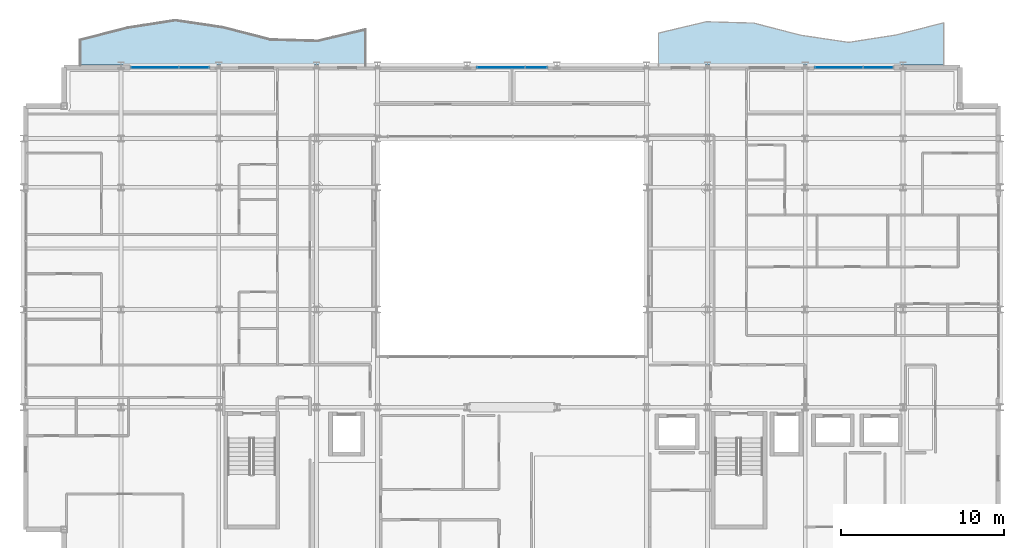
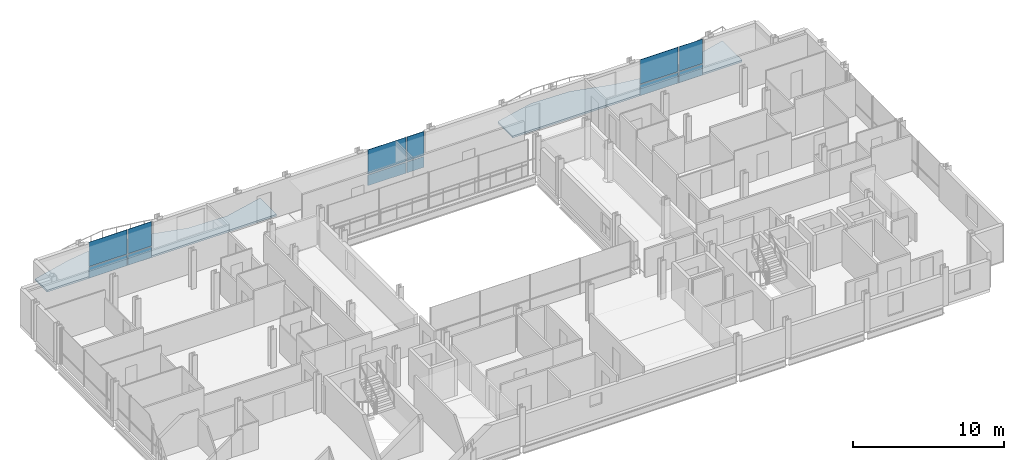
# One storey, part 31 of 41: 12 plates, 2 slabs, 3 elements without a shape of their own.
"""IFC4 building model written with IfcOpenShell, lengths in metres."""

from ifc_helpers import new_model, si_unit, direction, frame, origin, origin_2d, place, context, subcontext, project, spatial, polyline, rectangle, outline, extrude, material, layer, layer_set, type_object, element, aggregate, save


model = new_model("IFC4")

# Units and contexts
model_context = context("Model", 3, precision=1e-05, world=origin(), true_north=direction((0.0, 1.0)))
body_context = subcontext(model_context, "Body", "Model", "MODEL_VIEW")
ifc_project = project(units=[si_unit("LENGTHUNIT", "METRE"), si_unit("AREAUNIT", "SQUARE_METRE"), si_unit("VOLUMEUNIT", "CUBIC_METRE"), si_unit("PLANEANGLEUNIT", "RADIAN"), si_unit("MASSUNIT", "GRAM", prefix="KILO")], contexts=[model_context])

# Site, building, storey
site_placement = place(None, origin())
site = spatial("IfcSite", under=ifc_project, at=site_placement, CompositionType="ELEMENT")
building_placement = place(site_placement, origin())
building = spatial("IfcBuilding", under=site, at=building_placement, Name="Brevholm Reach", CompositionType="ELEMENT")
storey_placement = place(building_placement, frame((0.0, 0.0, 169.699951171875)))
storey = spatial("IfcBuildingStorey", under=building, at=storey_placement, Name="L51", CompositionType="ELEMENT", Elevation=169.699951171875)

# Curtain wall, plates
ifc_material_1 = material(Name="Dark Anodised Aluminium 6063-T6 and Solar-Control Glass", Category="aluminium")
ifc_layer_1 = layer(ifc_material_1, 0.14990234375)
ifc_layer_set_1 = layer_set([ifc_layer_1], Name="Dark Anodised Aluminium 6063-T6 and Solar-Control Glass")
curtain_wall_type = type_object("IfcCurtainWallType", Name="CW-01", PredefinedType="NOTDEFINED", material=ifc_layer_set_1)
curtain_wall_1_placement = place(storey_placement, origin())
curtain_wall_1 = element("IfcCurtainWall", 1, at=curtain_wall_1_placement, inside=storey, type_object=curtain_wall_type, Name="L51 Curtain Wall CW-01", PredefinedType="NOTDEFINED")
ifc_material_2 = material(Name="Dark Solar-Control Double-Glazed IGU Glass", Category="glass")
ifc_layer_2 = layer(ifc_material_2, 0.028076171875)
ifc_layer_set_2 = layer_set([ifc_layer_2], Name="Dark Solar-Control Double-Glazed IGU Glass")
plate_type = type_object("IfcPlateType", Name="CWP-GLZ-28", PredefinedType="CURTAIN_PANEL", material=ifc_layer_set_2)
plate_1_placement = place(storey_placement, frame((8.066162109375, 30.85009765625, 0.0), z_axis=(0.0, 0.0, 1.0), x_axis=(1.0, 0.0, 0.0)))
plate_1 = element("IfcPlate", 2, at=plate_1_placement, type_object=plate_type, Name="CP-01 Glazing Panel 1.1", PredefinedType="CURTAIN_PANEL", context=body_context, shape_type="SweptSolid", body=[
    extrude(rectangle(XDim=2.902587890625, YDim=0.028076171875, at=origin_2d()), origin(), (0.0, 0.0, 1.0), 0.867431640625),
])
plate_2_placement = place(storey_placement, frame((8.066162109375, 30.85009765625, 0.9326171875), z_axis=(0.0, 0.0, 1.0), x_axis=(1.0, 0.0, 0.0)))
plate_2 = element("IfcPlate", 3, at=plate_2_placement, type_object=plate_type, Name="CP-01 Glazing Panel 1.2", PredefinedType="CURTAIN_PANEL", context=body_context, shape_type="SweptSolid", body=[
    extrude(rectangle(XDim=2.902587890625, YDim=0.028076171875, at=origin_2d()), origin(), (0.0, 0.0, 1.0), 1.95751953125),
])
plate_3_placement = place(storey_placement, frame((10.483642578125, 30.85009765625, 0.0), z_axis=(0.0, 0.0, 1.0), x_axis=(1.0, 0.0, 0.0)))
plate_3 = element("IfcPlate", 4, at=plate_3_placement, type_object=plate_type, Name="CP-01 Glazing Panel 2.1", PredefinedType="CURTAIN_PANEL", context=body_context, shape_type="SweptSolid", body=[
    extrude(rectangle(XDim=1.802490234375, YDim=0.028076171875, at=origin_2d()), origin(), (0.0, 0.0, 1.0), 0.867431640625),
])
plate_4_placement = place(storey_placement, frame((10.483642578125, 30.85009765625, 0.9326171875), z_axis=(0.0, 0.0, 1.0), x_axis=(1.0, 0.0, 0.0)))
plate_4 = element("IfcPlate", 5, at=plate_4_placement, type_object=plate_type, Name="CP-01 Glazing Panel 2.2", PredefinedType="CURTAIN_PANEL", context=body_context, shape_type="SweptSolid", body=[
    extrude(rectangle(XDim=1.802490234375, YDim=0.028076171875, at=origin_2d()), origin(), (0.0, 0.0, 1.0), 1.95751953125),
])
aggregate(curtain_wall_1, [plate_1, plate_2, plate_3, plate_4])

curtain_wall_2_placement = place(storey_placement, origin())
curtain_wall_2 = element("IfcCurtainWall", 6, at=curtain_wall_2_placement, inside=storey, type_object=curtain_wall_type, Name="L51 Curtain Wall CW-01", PredefinedType="NOTDEFINED")
plate_5_placement = place(storey_placement, frame((29.316162109375, 30.85009765625, 0.0), z_axis=(0.0, 0.0, 1.0), x_axis=(1.0, 0.0, 0.0)))
plate_5 = element("IfcPlate", 7, at=plate_5_placement, type_object=plate_type, Name="CP-01 Glazing Panel 1.1", PredefinedType="CURTAIN_PANEL", context=body_context, shape_type="SweptSolid", body=[
    extrude(rectangle(XDim=2.902587890625, YDim=0.028076171875, at=origin_2d()), origin(), (0.0, 0.0, 1.0), 0.867431640625),
])
plate_6_placement = place(storey_placement, frame((29.316162109375, 30.85009765625, 0.9326171875), z_axis=(0.0, 0.0, 1.0), x_axis=(1.0, 0.0, 0.0)))
plate_6 = element("IfcPlate", 8, at=plate_6_placement, type_object=plate_type, Name="CP-01 Glazing Panel 1.2", PredefinedType="CURTAIN_PANEL", context=body_context, shape_type="SweptSolid", body=[
    extrude(rectangle(XDim=2.902587890625, YDim=0.028076171875, at=origin_2d()), origin(), (0.0, 0.0, 1.0), 1.95751953125),
])
plate_7_placement = place(storey_placement, frame((31.483642578125, 30.85009765625, 0.0), z_axis=(0.0, 0.0, 1.0), x_axis=(1.0, 0.0, 0.0)))
plate_7 = element("IfcPlate", 9, at=plate_7_placement, type_object=plate_type, Name="CP-01 Glazing Panel 2.1", PredefinedType="CURTAIN_PANEL", context=body_context, shape_type="SweptSolid", body=[
    extrude(rectangle(XDim=1.302490234375, YDim=0.028076171875, at=origin_2d()), origin(), (0.0, 0.0, 1.0), 0.867431640625),
])
plate_8_placement = place(storey_placement, frame((31.483642578125, 30.85009765625, 0.9326171875), z_axis=(0.0, 0.0, 1.0), x_axis=(1.0, 0.0, 0.0)))
plate_8 = element("IfcPlate", 10, at=plate_8_placement, type_object=plate_type, Name="CP-01 Glazing Panel 2.2", PredefinedType="CURTAIN_PANEL", context=body_context, shape_type="SweptSolid", body=[
    extrude(rectangle(XDim=1.302490234375, YDim=0.028076171875, at=origin_2d()), origin(), (0.0, 0.0, 1.0), 1.95751953125),
])
aggregate(curtain_wall_2, [plate_5, plate_6, plate_7, plate_8])

curtain_wall_3_placement = place(storey_placement, origin())
curtain_wall_3 = element("IfcCurtainWall", 11, at=curtain_wall_3_placement, inside=storey, type_object=curtain_wall_type, Name="L51 Curtain Wall CW-01", PredefinedType="NOTDEFINED")
plate_9_placement = place(storey_placement, frame((50.066162109375, 30.85009765625, 0.0), z_axis=(0.0, 0.0, 1.0), x_axis=(1.0, 0.0, 0.0)))
plate_9 = element("IfcPlate", 12, at=plate_9_placement, type_object=plate_type, Name="CP-01 Glazing Panel 1.1", PredefinedType="CURTAIN_PANEL", context=body_context, shape_type="SweptSolid", body=[
    extrude(rectangle(XDim=2.902587890625, YDim=0.028076171875, at=origin_2d()), origin(), (0.0, 0.0, 1.0), 0.867431640625),
])
plate_10_placement = place(storey_placement, frame((50.066162109375, 30.85009765625, 0.9326171875), z_axis=(0.0, 0.0, 1.0), x_axis=(1.0, 0.0, 0.0)))
plate_10 = element("IfcPlate", 13, at=plate_10_placement, type_object=plate_type, Name="CP-01 Glazing Panel 1.2", PredefinedType="CURTAIN_PANEL", context=body_context, shape_type="SweptSolid", body=[
    extrude(rectangle(XDim=2.902587890625, YDim=0.028076171875, at=origin_2d()), origin(), (0.0, 0.0, 1.0), 1.95751953125),
])
plate_11_placement = place(storey_placement, frame((52.483642578125, 30.85009765625, 0.0), z_axis=(0.0, 0.0, 1.0), x_axis=(1.0, 0.0, 0.0)))
plate_11 = element("IfcPlate", 14, at=plate_11_placement, type_object=plate_type, Name="CP-01 Glazing Panel 2.1", PredefinedType="CURTAIN_PANEL", context=body_context, shape_type="SweptSolid", body=[
    extrude(rectangle(XDim=1.802490234375, YDim=0.028076171875, at=origin_2d()), origin(), (0.0, 0.0, 1.0), 0.867431640625),
])
plate_12_placement = place(storey_placement, frame((52.483642578125, 30.85009765625, 0.9326171875), z_axis=(0.0, 0.0, 1.0), x_axis=(1.0, 0.0, 0.0)))
plate_12 = element("IfcPlate", 15, at=plate_12_placement, type_object=plate_type, Name="CP-01 Glazing Panel 2.2", PredefinedType="CURTAIN_PANEL", context=body_context, shape_type="SweptSolid", body=[
    extrude(rectangle(XDim=1.802490234375, YDim=0.028076171875, at=origin_2d()), origin(), (0.0, 0.0, 1.0), 1.95751953125),
])
aggregate(curtain_wall_3, [plate_9, plate_10, plate_11, plate_12])

# Slabs
ifc_material_3 = material(Name="Precast Concrete C45/55", Category="concrete")
ifc_layer_3 = layer(ifc_material_3, 0.14990234375)
ifc_layer_set_3 = layer_set([ifc_layer_3], Name="Precast Concrete C45/55")
slab_type = type_object("IfcSlabType", Name="SLB-BAL-150", PredefinedType="FLOOR", material=ifc_layer_set_3)
slab_1_placement = place(storey_placement, frame((0.0, 0.0, -0.14990234375)))
element("IfcSlab", 16, at=slab_1_placement, inside=storey, type_object=slab_type, Name="L51 Rippling External Balcony NE", PredefinedType="FLOOR", context=body_context, shape_type="SweptSolid", body=[
    extrude(outline(polyline([(39.0, 31.0), (56.5, 31.0), (56.5, 33.599609375), (53.583251953125, 32.855224609375), (50.666748046875, 32.400146484375), (47.75, 32.8330078125), (44.833251953125, 33.58447265625), (41.916748046875, 33.665283203125), (39.0, 32.969482421875), (39.0, 31.0)])), origin(), (0.0, 0.0, 1.0), 0.14990234375),
])
slab_2_placement = place(storey_placement, frame((0.0, 0.0, -0.14990234375)))
element("IfcSlab", 17, at=slab_2_placement, inside=storey, type_object=slab_type, Name="L51 Rippling External Balcony NW", PredefinedType="FLOOR", context=body_context, shape_type="SweptSolid", body=[
    extrude(outline(polyline([(3.5, 31.0), (21.0, 31.0), (21.0, 33.1806640625), (18.083251953125, 32.484619140625), (15.166748046875, 32.565673828125), (12.25, 33.31689453125), (9.333251953125, 33.75), (6.416748046875, 33.294921875), (3.5, 32.55029296875), (3.5, 31.0)])), origin(), (0.0, 0.0, 1.0), 0.14990234375),
])

save(model, "model.ifc")
